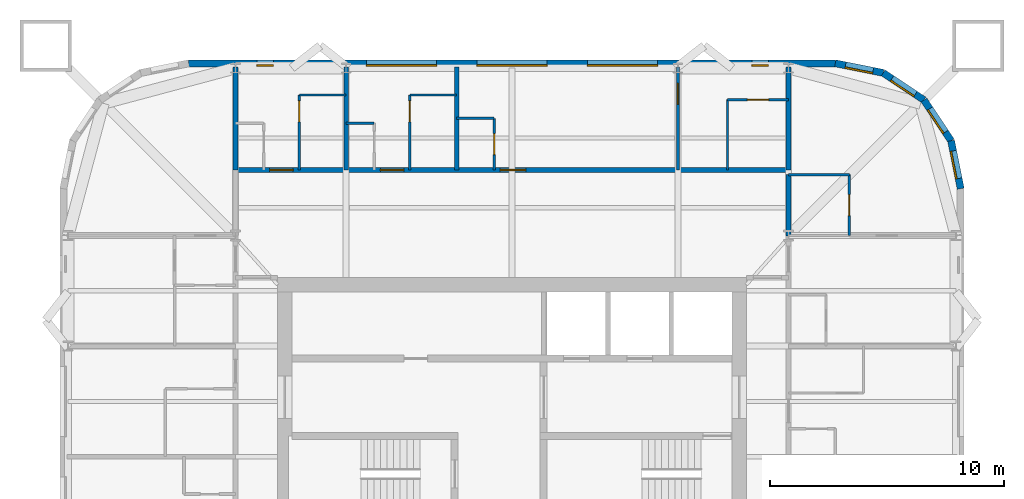
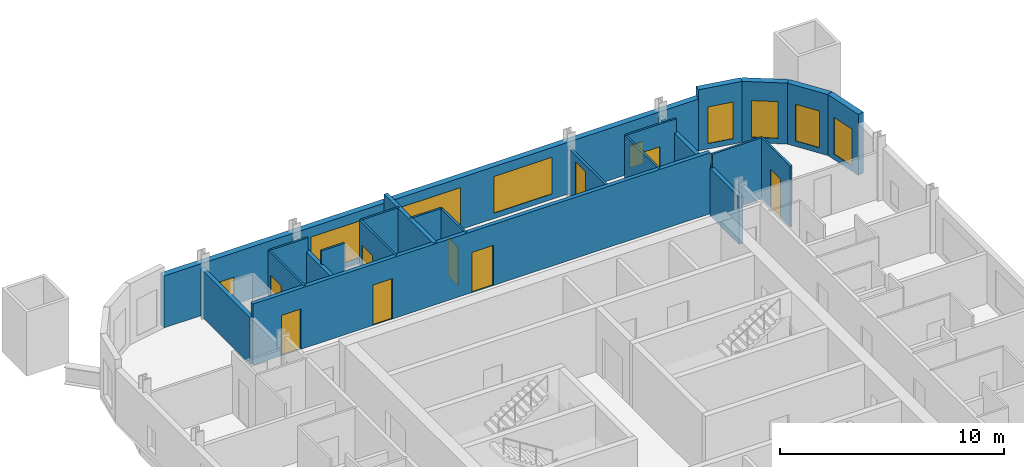
# One storey, part 7 of 9: 23 walls, 9 doors, 9 windows, 18 openings.
"""IFC4 building model written with IfcOpenShell, lengths in metres."""

from ifc_helpers import new_model, si_unit, direction, frame, frame_2d, origin, place, context, subcontext, project, spatial, rectangle, extrude, material, layer, layer_set, type_object, element, fill, save


model = new_model("IFC4")

# Units and contexts
model_context = context("Model", 3, precision=1e-05, world=origin(), true_north=direction((0.0, 1.0)))
body_context = subcontext(model_context, "Body", "Model", "MODEL_VIEW")
ifc_project = project(units=[si_unit("LENGTHUNIT", "METRE"), si_unit("AREAUNIT", "SQUARE_METRE"), si_unit("VOLUMEUNIT", "CUBIC_METRE"), si_unit("PLANEANGLEUNIT", "RADIAN"), si_unit("MASSUNIT", "GRAM", prefix="KILO")], contexts=[model_context])

# Site, building, storey
site_placement = place(None, origin())
site = spatial("IfcSite", under=ifc_project, at=site_placement, CompositionType="ELEMENT")
building_placement = place(site_placement, origin())
building = spatial("IfcBuilding", under=site, at=building_placement, Name="Turquesa Mirador Hotel Tower", CompositionType="ELEMENT")
storey_placement = place(building_placement, frame((0.0, 0.0, 203.800048828125)))
storey = spatial("IfcBuildingStorey", under=building, at=storey_placement, Name="L55", CompositionType="ELEMENT", Elevation=203.800048828125)

# Walls
ifc_material_1 = material(Name="Gypsum board on steel studs", Category="steel")
ifc_layer_1 = layer(ifc_material_1, 0.10009765625)
ifc_layer_set_1 = layer_set([ifc_layer_1], Name="BATHROOM WALL 100")
wall_type_1 = type_object("IfcWallType", Name="BATHROOM WALL 100", PredefinedType="PARTITIONING", material=ifc_layer_set_1)
wall_1_placement = place(storey_placement, frame((66.800048828125, 59.39990234375, 0.0), z_axis=(0.0, 0.0, 1.0), x_axis=(1.0, 0.0, 0.0)))
element("IfcWall", 1, at=wall_1_placement, inside=storey, type_object=wall_type_1, Name="Partition L55 027", PredefinedType="PARTITIONING", context=body_context, shape_type="SweptSolid", body=[
    extrude(rectangle(XDim=2.599853515625, YDim=0.10009765625, at=frame_2d((1.2998046875, 0.0))), origin(), (0.0, 0.0, 1.0), 3.329833984375),
])
wall_2_placement = place(storey_placement, frame((47.919921875, 61.60009765625, 0.0), z_axis=(0.0, 0.0, 1.0), x_axis=(1.0, 0.0, 0.0)))
element("IfcWall", 2, at=wall_2_placement, inside=storey, type_object=wall_type_1, Name="Partition L55 030", PredefinedType="PARTITIONING", context=body_context, shape_type="SweptSolid", body=[
    extrude(rectangle(XDim=1.2001953125, YDim=0.10009765625, at=frame_2d((0.60009765625, 0.0))), origin(), (0.0, 0.0, 1.0), 3.329833984375),
])
wall_3_placement = place(storey_placement, frame((52.639892578125, 61.800048828125, 0.0), z_axis=(0.0, 0.0, 1.0), x_axis=(1.0, 0.0, 0.0)))
element("IfcWall", 3, at=wall_3_placement, inside=storey, type_object=wall_type_1, Name="Partition L55 031", PredefinedType="PARTITIONING", context=body_context, shape_type="SweptSolid", body=[
    extrude(rectangle(XDim=1.60009765625, YDim=0.10009765625, at=frame_2d((0.800048828125, 0.0))), origin(), (0.0, 0.0, 1.0), 3.329833984375),
])

# Wall, opening, door
wall_4_placement = place(storey_placement, frame((64.199951171875, 62.60009765625, 0.0), z_axis=(0.0, 0.0, 1.0), x_axis=(1.0, 0.0, 0.0)))
wall_4 = element("IfcWall", 4, at=wall_4_placement, inside=storey, type_object=wall_type_1, Name="Partition L55 032", PredefinedType="PARTITIONING", context=body_context, shape_type="SweptSolid", body=[
    extrude(rectangle(XDim=2.60009765625, YDim=0.10009765625, at=frame_2d((1.300048828125, 0.0))), origin(), (0.0, 0.0, 1.0), 3.329833984375),
])
opening_1_placement = place(wall_4_placement, frame((0.85009765625, 0.0, 0.0)))
opening_1 = element("IfcOpeningElement", 5, at=opening_1_placement, cuts=wall_4, Name="Opening D02", PredefinedType="OPENING", context=body_context, shape_type="SweptSolid", body=[
    extrude(rectangle(XDim=0.89990234375, YDim=2.10009765625, at=frame_2d((0.449951171875, 1.050048828125))), frame((0.0, 0.06005859375, 0.0), z_axis=(0.0, -1.0, 0.0), x_axis=(1.0, 0.0, 0.0)), (0.0, 0.0, 1.0), 0.1201171875),
])
ifc_material_2 = material(Name="Timber veneered door", Category="wood")
door_type_1 = type_object("IfcDoorType", Name="DOOR 900X2100 EN-SUITE", OperationType="SINGLE_SWING_RIGHT", PredefinedType="DOOR", material=ifc_material_2)
door_1_placement = place(opening_1_placement, origin())
door_1 = element("IfcDoor", 6, at=door_1_placement, inside=storey, type_object=door_type_1, Name="Door 5503B", OperationType="SINGLE_SWING_RIGHT", OverallHeight=2.10009765625, OverallWidth=0.89990234375, PredefinedType="DOOR", context=body_context, shape_type="SweptSolid", body=[
    extrude(rectangle(XDim=0.89990234375, YDim=2.10009765625, at=frame_2d((0.449951171875, 1.050048828125))), frame((0.0, 0.02490234375, 0.0), z_axis=(0.0, -1.0, 0.0), x_axis=(1.0, 0.0, 0.0)), (0.0, 0.0, 1.0), 0.050048828125),
])
fill(opening_1, door_1)

# Walls
for number, where, z_axis, x_axis, name in (
    (7, (45.919921875, 62.800048828125, 0.0), (0.0, 0.0, 1.0), (1.0, 0.0, 0.0), "Partition L55 033"),
    (8, (50.639892578125, 62.800048828125, 0.0), (0.0, 0.0, 1.0), (1.0, 0.0, 0.0), "Partition L55 034"),
):
    element("IfcWall", number, at=place(storey_placement, frame(where, z_axis=z_axis, x_axis=x_axis)), inside=storey, type_object=wall_type_1, Name=name, PredefinedType="PARTITIONING", context=body_context, shape_type="SweptSolid", body=[
        extrude(rectangle(XDim=2.0, YDim=0.10009765625, at=frame_2d((1.0, 0.0))), origin(), (0.0, 0.0, 1.0), 3.329833984375),
    ])

# Wall, opening, door
wall_5_placement = place(storey_placement, frame((54.239990234375, 59.60009765625, 0.0), z_axis=(0.0, 0.0, 1.0), x_axis=(0.0, 1.0, 0.0)))
wall_5 = element("IfcWall", 9, at=wall_5_placement, inside=storey, type_object=wall_type_1, Name="Partition L55 045", PredefinedType="PARTITIONING", context=body_context, shape_type="SweptSolid", body=[
    extrude(rectangle(XDim=2.199951171875, YDim=0.10009765625, at=frame_2d((1.10009765625, 0.0))), origin(), (0.0, 0.0, 1.0), 3.329833984375),
])
opening_2_placement = place(wall_5_placement, frame((0.64990234375, 0.0, 0.0)))
opening_2 = element("IfcOpeningElement", 10, at=opening_2_placement, cuts=wall_5, Name="Opening D06", PredefinedType="OPENING", context=body_context, shape_type="SweptSolid", body=[
    extrude(rectangle(XDim=0.89990234375, YDim=2.10009765625, at=frame_2d((0.449951171875, 1.050048828125))), frame((0.0, 0.06005859375, 0.0), z_axis=(0.0, -1.0, 0.0), x_axis=(1.0, 0.0, 0.0)), (0.0, 0.0, 1.0), 0.1201171875),
])
ifc_material_3 = material(Name="Laminate door", Category="wood")
door_type_2 = type_object("IfcDoorType", Name="DOOR 900X2100 WC", OperationType="SINGLE_SWING_LEFT", PredefinedType="DOOR", material=ifc_material_3)
door_2_placement = place(opening_2_placement, origin())
door_2 = element("IfcDoor", 11, at=door_2_placement, inside=storey, type_object=door_type_2, Name="Door 5503W", OperationType="SINGLE_SWING_LEFT", OverallHeight=2.10009765625, OverallWidth=0.89990234375, PredefinedType="DOOR", context=body_context, shape_type="SweptSolid", body=[
    extrude(rectangle(XDim=0.89990234375, YDim=2.10009765625, at=frame_2d((0.449951171875, 1.050048828125))), frame((0.0, 0.02490234375, 0.0), z_axis=(0.0, -1.0, 0.0), x_axis=(1.0, 0.0, 0.0)), (0.0, 0.0, 1.0), 0.050048828125),
])
fill(opening_2, door_2)

wall_6_placement = place(storey_placement, frame((50.639892578125, 59.60009765625, 0.0), z_axis=(0.0, 0.0, 1.0), x_axis=(0.0, 1.0, 0.0)))
wall_6 = element("IfcWall", 12, at=wall_6_placement, inside=storey, type_object=wall_type_1, Name="Partition L55 058", PredefinedType="PARTITIONING", context=body_context, shape_type="SweptSolid", body=[
    extrude(rectangle(XDim=3.199951171875, YDim=0.10009765625, at=frame_2d((1.60009765625, 0.0))), origin(), (0.0, 0.0, 1.0), 3.329833984375),
])
opening_3_placement = place(wall_6_placement, frame((2.050048828125, 0.0, 0.0)))
opening_3 = element("IfcOpeningElement", 13, at=opening_3_placement, cuts=wall_6, Name="Opening D02", PredefinedType="OPENING", context=body_context, shape_type="SweptSolid", body=[
    extrude(rectangle(XDim=0.89990234375, YDim=2.10009765625, at=frame_2d((0.449951171875, 1.050048828125))), frame((0.0, 0.06005859375, 0.0), z_axis=(0.0, -1.0, 0.0), x_axis=(1.0, 0.0, 0.0)), (0.0, 0.0, 1.0), 0.1201171875),
])
door_3_placement = place(opening_3_placement, origin())
door_3 = element("IfcDoor", 14, at=door_3_placement, inside=storey, type_object=door_type_1, Name="Door 5502B", OperationType="SINGLE_SWING_RIGHT", OverallHeight=2.10009765625, OverallWidth=0.89990234375, PredefinedType="DOOR", context=body_context, shape_type="SweptSolid", body=[
    extrude(rectangle(XDim=0.89990234375, YDim=2.10009765625, at=frame_2d((0.449951171875, 1.050048828125))), frame((0.0, 0.02490234375, 0.0), z_axis=(0.0, -1.0, 0.0), x_axis=(1.0, 0.0, 0.0)), (0.0, 0.0, 1.0), 0.050048828125),
])
fill(opening_3, door_3)

wall_7_placement = place(storey_placement, frame((45.919921875, 59.60009765625, 0.0), z_axis=(0.0, 0.0, 1.0), x_axis=(0.0, 1.0, 0.0)))
wall_7 = element("IfcWall", 15, at=wall_7_placement, inside=storey, type_object=wall_type_1, Name="Partition L55 063", PredefinedType="PARTITIONING", context=body_context, shape_type="SweptSolid", body=[
    extrude(rectangle(XDim=3.199951171875, YDim=0.10009765625, at=frame_2d((1.60009765625, 0.0))), origin(), (0.0, 0.0, 1.0), 3.329833984375),
])
opening_4_placement = place(wall_7_placement, frame((2.050048828125, 0.0, 0.0)))
opening_4 = element("IfcOpeningElement", 16, at=opening_4_placement, cuts=wall_7, Name="Opening D02", PredefinedType="OPENING", context=body_context, shape_type="SweptSolid", body=[
    extrude(rectangle(XDim=0.89990234375, YDim=2.10009765625, at=frame_2d((0.449951171875, 1.050048828125))), frame((0.0, 0.06005859375, 0.0), z_axis=(0.0, -1.0, 0.0), x_axis=(1.0, 0.0, 0.0)), (0.0, 0.0, 1.0), 0.1201171875),
])
door_4_placement = place(opening_4_placement, origin())
door_4 = element("IfcDoor", 17, at=door_4_placement, inside=storey, type_object=door_type_1, Name="Door 5501B", OperationType="SINGLE_SWING_RIGHT", OverallHeight=2.10009765625, OverallWidth=0.89990234375, PredefinedType="DOOR", context=body_context, shape_type="SweptSolid", body=[
    extrude(rectangle(XDim=0.89990234375, YDim=2.10009765625, at=frame_2d((0.449951171875, 1.050048828125))), frame((0.0, 0.02490234375, 0.0), z_axis=(0.0, -1.0, 0.0), x_axis=(1.0, 0.0, 0.0)), (0.0, 0.0, 1.0), 0.050048828125),
])
fill(opening_4, door_4)

wall_8_placement = place(storey_placement, frame((69.39990234375, 56.800048828125, 0.0), z_axis=(0.0, 0.0, 1.0), x_axis=(0.0, 1.0, 0.0)))
wall_8 = element("IfcWall", 18, at=wall_8_placement, inside=storey, type_object=wall_type_1, Name="Partition L55 075", PredefinedType="PARTITIONING", context=body_context, shape_type="SweptSolid", body=[
    extrude(rectangle(XDim=2.599853515625, YDim=0.10009765625, at=frame_2d((1.2998046875, 0.0))), origin(), (0.0, 0.0, 1.0), 3.329833984375),
])
opening_5_placement = place(wall_8_placement, frame((0.85009765625, 0.0, 0.0)))
opening_5 = element("IfcOpeningElement", 19, at=opening_5_placement, cuts=wall_8, Name="Opening D02", PredefinedType="OPENING", context=body_context, shape_type="SweptSolid", body=[
    extrude(rectangle(XDim=0.89990234375, YDim=2.10009765625, at=frame_2d((0.449951171875, 1.050048828125))), frame((0.0, 0.06005859375, 0.0), z_axis=(0.0, -1.0, 0.0), x_axis=(1.0, 0.0, 0.0)), (0.0, 0.0, 1.0), 0.1201171875),
])
door_5_placement = place(opening_5_placement, origin())
door_5 = element("IfcDoor", 20, at=door_5_placement, inside=storey, type_object=door_type_1, Name="Door 5512B", OperationType="SINGLE_SWING_RIGHT", OverallHeight=2.10009765625, OverallWidth=0.89990234375, PredefinedType="DOOR", context=body_context, shape_type="SweptSolid", body=[
    extrude(rectangle(XDim=0.89990234375, YDim=2.10009765625, at=frame_2d((0.449951171875, 1.050048828125))), frame((0.0, 0.02490234375, 0.0), z_axis=(0.0, -1.0, 0.0), x_axis=(1.0, 0.0, 0.0)), (0.0, 0.0, 1.0), 0.050048828125),
])
fill(opening_5, door_5)

# Wall
wall_9_placement = place(storey_placement, frame((64.199951171875, 59.60009765625, 0.0), z_axis=(0.0, 0.0, 1.0), x_axis=(0.0, 1.0, 0.0)))
element("IfcWall", 21, at=wall_9_placement, inside=storey, type_object=wall_type_1, Name="Partition L55 084", PredefinedType="PARTITIONING", context=body_context, shape_type="SweptSolid", body=[
    extrude(rectangle(XDim=3.0, YDim=0.10009765625, at=frame_2d((1.5, 0.0))), origin(), (0.0, 0.0, 1.0), 3.329833984375),
])

# Wall, openings, doors
ifc_material_4 = material(Name="Fire-rated gypsum board on steel studs", Category="steel")
ifc_layer_2 = layer(ifc_material_4, 0.199951171875)
ifc_layer_set_2 = layer_set([ifc_layer_2], Name="CORRIDOR WALL 200")
wall_type_2 = type_object("IfcWallType", Name="CORRIDOR WALL 200", PredefinedType="PARTITIONING", material=ifc_layer_set_2)
wall_10_placement = place(storey_placement, frame((43.199951171875, 59.60009765625, 0.0), z_axis=(0.0, 0.0, 1.0), x_axis=(1.0, 0.0, 0.0)))
wall_10 = element("IfcWall", 22, at=wall_10_placement, inside=storey, type_object=wall_type_2, Name="Partition L55 028", PredefinedType="PARTITIONING", context=body_context, shape_type="SweptSolid", body=[
    extrude(rectangle(XDim=23.60009765625, YDim=0.199951171875, at=frame_2d((11.800048828125, 0.0))), origin(), (0.0, 0.0, 1.0), 3.329833984375),
])
opening_6_placement = place(wall_10_placement, frame((1.4599609375, 0.0, 0.0)))
opening_6 = element("IfcOpeningElement", 23, at=opening_6_placement, cuts=wall_10, Name="Opening D01", PredefinedType="OPENING", context=body_context, shape_type="SweptSolid", body=[
    extrude(rectangle(XDim=1.0, YDim=2.199951171875, at=frame_2d((0.5, 1.10009765625))), frame((0.0, 0.10986328125, 0.0), z_axis=(0.0, -1.0, 0.0), x_axis=(1.0, 0.0, 0.0)), (0.0, 0.0, 1.0), 0.219970703125),
])
opening_7_placement = place(wall_10_placement, frame((6.179931640625, 0.0, 0.0)))
opening_7 = element("IfcOpeningElement", 24, at=opening_7_placement, cuts=wall_10, Name="Opening D01", PredefinedType="OPENING", context=body_context, shape_type="SweptSolid", body=[
    extrude(rectangle(XDim=1.0, YDim=2.199951171875, at=frame_2d((0.5, 1.10009765625))), frame((0.0, 0.10986328125, 0.0), z_axis=(0.0, -1.0, 0.0), x_axis=(1.0, 0.0, 0.0)), (0.0, 0.0, 1.0), 0.219970703125),
])
opening_8_placement = place(wall_10_placement, frame((11.2900390625, 0.0, 0.0)))
opening_8 = element("IfcOpeningElement", 25, at=opening_8_placement, cuts=wall_10, Name="Opening D15", PredefinedType="OPENING", context=body_context, shape_type="SweptSolid", body=[
    extrude(rectangle(XDim=1.10009765625, YDim=2.199951171875, at=frame_2d((0.550048828125, 1.10009765625))), frame((0.0, 0.10986328125, 0.0), z_axis=(0.0, -1.0, 0.0), x_axis=(1.0, 0.0, 0.0)), (0.0, 0.0, 1.0), 0.219970703125),
])
ifc_material_5 = material(Name="Timber veneered fire door", Category="wood")
door_type_3 = type_object("IfcDoorType", Name="DOOR 1000X2200 GUEST ENTRY", OperationType="SINGLE_SWING_LEFT", PredefinedType="DOOR", material=ifc_material_5)
door_6_placement = place(opening_6_placement, origin())
door_6 = element("IfcDoor", 26, at=door_6_placement, inside=storey, type_object=door_type_3, Name="Door 5501", OperationType="SINGLE_SWING_LEFT", OverallHeight=2.199951171875, OverallWidth=1.0, PredefinedType="DOOR", context=body_context, shape_type="SweptSolid", body=[
    extrude(rectangle(XDim=1.0, YDim=2.199951171875, at=frame_2d((0.5, 1.10009765625))), frame((0.0, 0.02490234375, 0.0), z_axis=(0.0, -1.0, 0.0), x_axis=(1.0, 0.0, 0.0)), (0.0, 0.0, 1.0), 0.050048828125),
])
fill(opening_6, door_6)
door_7_placement = place(opening_7_placement, origin())
door_7 = element("IfcDoor", 27, at=door_7_placement, inside=storey, type_object=door_type_3, Name="Door 5502", OperationType="SINGLE_SWING_LEFT", OverallHeight=2.199951171875, OverallWidth=1.0, PredefinedType="DOOR", context=body_context, shape_type="SweptSolid", body=[
    extrude(rectangle(XDim=1.0, YDim=2.199951171875, at=frame_2d((0.5, 1.10009765625))), frame((0.0, 0.02490234375, 0.0), z_axis=(0.0, -1.0, 0.0), x_axis=(1.0, 0.0, 0.0)), (0.0, 0.0, 1.0), 0.050048828125),
])
fill(opening_7, door_7)
ifc_material_6 = material(Name="Timber veneered fire door", Category="wood")
door_type_4 = type_object("IfcDoorType", Name="DOOR 1100X2200 SUITE ENTRY", OperationType="SINGLE_SWING_LEFT", PredefinedType="DOOR", material=ifc_material_6)
door_8_placement = place(opening_8_placement, origin())
door_8 = element("IfcDoor", 28, at=door_8_placement, inside=storey, type_object=door_type_4, Name="Door 5503", OperationType="SINGLE_SWING_LEFT", OverallHeight=2.199951171875, OverallWidth=1.10009765625, PredefinedType="DOOR", context=body_context, shape_type="SweptSolid", body=[
    extrude(rectangle(XDim=1.10009765625, YDim=2.199951171875, at=frame_2d((0.550048828125, 1.10009765625))), frame((0.0, 0.02490234375, 0.0), z_axis=(0.0, -1.0, 0.0), x_axis=(1.0, 0.0, 0.0)), (0.0, 0.0, 1.0), 0.050048828125),
])
fill(opening_8, door_8)

# Wall
wall_11_placement = place(storey_placement, frame((66.800048828125, 56.780029296875, 0.0), z_axis=(0.0, 0.0, 1.0), x_axis=(0.0, 1.0, 0.0)))
element("IfcWall", 29, at=wall_11_placement, inside=storey, type_object=wall_type_2, Name="Partition L55 086", PredefinedType="PARTITIONING", context=body_context, shape_type="SweptSolid", body=[
    extrude(rectangle(XDim=2.619873046875, YDim=0.199951171875, at=frame_2d((1.31005859375, 0.0))), origin(), (0.0, 0.0, 1.0), 2.572998046875),
])

# Wall, opening, window
ifc_material_7 = material(Name="Limestone cladding on concrete block", Category="masonry")
ifc_layer_3 = layer(ifc_material_7, 0.300048828125)
ifc_layer_set_3 = layer_set([ifc_layer_3], Name="FACADE WALL 300 STONE SCREEN")
wall_type_3 = type_object("IfcWallType", Name="FACADE WALL 300 STONE SCREEN", PredefinedType="SOLIDWALL", material=ifc_layer_set_3)
wall_12_placement = place(storey_placement, frame((74.14990234375, 58.800048828125, 0.0), z_axis=(0.0, 0.0, 1.0), x_axis=(-0.195081421501, 0.980787050784, 0.0)))
wall_12 = element("IfcWall", 30, at=wall_12_placement, inside=storey, type_object=wall_type_3, Name="Facade wall L55 05", PredefinedType="SOLIDWALL", context=body_context, shape_type="SweptSolid", body=[
    extrude(rectangle(XDim=2.08740234375, YDim=0.300048828125, at=frame_2d((1.043701171875, 0.0))), origin(), (0.0, 0.0, 1.0), 3.329833984375),
])
opening_9_placement = place(wall_12_placement, frame((0.443603515625, 0.0, 0.300048828125)))
opening_9 = element("IfcOpeningElement", 31, at=opening_9_placement, cuts=wall_12, Name="Opening WN4", PredefinedType="OPENING", context=body_context, shape_type="SweptSolid", body=[
    extrude(rectangle(XDim=1.199951171875, YDim=2.0, at=frame_2d((0.60009765625, 1.0))), frame((0.0, 0.159912109375, 0.0), z_axis=(0.0, -1.0, 0.0), x_axis=(1.0, 0.0, 0.0)), (0.0, 0.0, 1.0), 0.320068359375),
])
ifc_material_8 = material(Name="Ceramic-fritted laminated glass", Category="glass")
window_type_1 = type_object("IfcWindowType", Name="FRITTED CORNER WINDOW 1200X2000", PartitioningType="DOUBLE_PANEL_HORIZONTAL", PredefinedType="WINDOW", material=ifc_material_8)
window_1_placement = place(opening_9_placement, origin())
window_1 = element("IfcWindow", 32, at=window_1_placement, inside=storey, type_object=window_type_1, Name="Window L55", OverallHeight=2.0, OverallWidth=1.199951171875, PartitioningType="SINGLE_PANEL", PredefinedType="WINDOW", context=body_context, shape_type="SweptSolid", body=[
    extrude(rectangle(XDim=1.199951171875, YDim=2.0, at=frame_2d((0.60009765625, 1.0))), frame((0.0, 0.130126953125, 0.0), z_axis=(0.0, -1.0, 0.0), x_axis=(1.0, 0.0, 0.0)), (0.0, 0.0, 1.0), 0.06005859375),
])
fill(opening_9, window_1)

wall_13_placement = place(storey_placement, frame((73.74267578125, 60.847412109375, 0.0), z_axis=(0.0, 0.0, 1.0), x_axis=(-0.555563607591, 0.831474039234, 0.0)))
wall_13 = element("IfcWall", 33, at=wall_13_placement, inside=storey, type_object=wall_type_3, Name="Facade wall L55 06", PredefinedType="SOLIDWALL", context=body_context, shape_type="SweptSolid", body=[
    extrude(rectangle(XDim=2.08740234375, YDim=0.300048828125, at=frame_2d((1.043701171875, 0.0))), origin(), (0.0, 0.0, 1.0), 3.329833984375),
])
opening_10_placement = place(wall_13_placement, frame((0.443603515625, 0.0, 0.300048828125)))
opening_10 = element("IfcOpeningElement", 34, at=opening_10_placement, cuts=wall_13, Name="Opening WN4", PredefinedType="OPENING", context=body_context, shape_type="SweptSolid", body=[
    extrude(rectangle(XDim=1.199951171875, YDim=2.0, at=frame_2d((0.60009765625, 1.0))), frame((0.0, 0.159912109375, 0.0), z_axis=(0.0, -1.0, 0.0), x_axis=(1.0, 0.0, 0.0)), (0.0, 0.0, 1.0), 0.320068359375),
])
window_2_placement = place(opening_10_placement, origin())
window_2 = element("IfcWindow", 35, at=window_2_placement, inside=storey, type_object=window_type_1, Name="Window L55", OverallHeight=2.0, OverallWidth=1.199951171875, PartitioningType="SINGLE_PANEL", PredefinedType="WINDOW", context=body_context, shape_type="SweptSolid", body=[
    extrude(rectangle(XDim=1.199951171875, YDim=2.0, at=frame_2d((0.60009765625, 1.0))), frame((0.0, 0.130126953125, 0.0), z_axis=(0.0, -1.0, 0.0), x_axis=(1.0, 0.0, 0.0)), (0.0, 0.0, 1.0), 0.06005859375),
])
fill(opening_10, window_2)

wall_14_placement = place(storey_placement, frame((72.5830078125, 62.5830078125, 0.0), z_axis=(0.0, 0.0, 1.0), x_axis=(-0.831474039234, 0.555563607591, 0.0)))
wall_14 = element("IfcWall", 36, at=wall_14_placement, inside=storey, type_object=wall_type_3, Name="Facade wall L55 07", PredefinedType="SOLIDWALL", context=body_context, shape_type="SweptSolid", body=[
    extrude(rectangle(XDim=2.08740234375, YDim=0.300048828125, at=frame_2d((1.043701171875, 0.0))), origin(), (0.0, 0.0, 1.0), 3.329833984375),
])
opening_11_placement = place(wall_14_placement, frame((0.443603515625, 0.0, 0.300048828125)))
opening_11 = element("IfcOpeningElement", 37, at=opening_11_placement, cuts=wall_14, Name="Opening WN4", PredefinedType="OPENING", context=body_context, shape_type="SweptSolid", body=[
    extrude(rectangle(XDim=1.199951171875, YDim=2.0, at=frame_2d((0.60009765625, 1.0))), frame((0.0, 0.159912109375, 0.0), z_axis=(0.0, -1.0, 0.0), x_axis=(1.0, 0.0, 0.0)), (0.0, 0.0, 1.0), 0.320068359375),
])
window_3_placement = place(opening_11_placement, origin())
window_3 = element("IfcWindow", 38, at=window_3_placement, inside=storey, type_object=window_type_1, Name="Window L55", OverallHeight=2.0, OverallWidth=1.199951171875, PartitioningType="SINGLE_PANEL", PredefinedType="WINDOW", context=body_context, shape_type="SweptSolid", body=[
    extrude(rectangle(XDim=1.199951171875, YDim=2.0, at=frame_2d((0.60009765625, 1.0))), frame((0.0, 0.130126953125, 0.0), z_axis=(0.0, -1.0, 0.0), x_axis=(1.0, 0.0, 0.0)), (0.0, 0.0, 1.0), 0.06005859375),
])
fill(opening_11, window_3)

wall_15_placement = place(storey_placement, frame((70.847412109375, 63.74267578125, 0.0), z_axis=(0.0, 0.0, 1.0), x_axis=(-0.980787050784, 0.195081421501, 0.0)))
wall_15 = element("IfcWall", 39, at=wall_15_placement, inside=storey, type_object=wall_type_3, Name="Facade wall L55 08", PredefinedType="SOLIDWALL", context=body_context, shape_type="SweptSolid", body=[
    extrude(rectangle(XDim=2.08740234375, YDim=0.300048828125, at=frame_2d((1.043701171875, 0.0))), origin(), (0.0, 0.0, 1.0), 3.329833984375),
])
opening_12_placement = place(wall_15_placement, frame((0.443603515625, 0.0, 0.300048828125)))
opening_12 = element("IfcOpeningElement", 40, at=opening_12_placement, cuts=wall_15, Name="Opening WN4", PredefinedType="OPENING", context=body_context, shape_type="SweptSolid", body=[
    extrude(rectangle(XDim=1.199951171875, YDim=2.0, at=frame_2d((0.60009765625, 1.0))), frame((0.0, 0.159912109375, 0.0), z_axis=(0.0, -1.0, 0.0), x_axis=(1.0, 0.0, 0.0)), (0.0, 0.0, 1.0), 0.320068359375),
])
window_4_placement = place(opening_12_placement, origin())
window_4 = element("IfcWindow", 41, at=window_4_placement, inside=storey, type_object=window_type_1, Name="Window L55", OverallHeight=2.0, OverallWidth=1.199951171875, PartitioningType="SINGLE_PANEL", PredefinedType="WINDOW", context=body_context, shape_type="SweptSolid", body=[
    extrude(rectangle(XDim=1.199951171875, YDim=2.0, at=frame_2d((0.60009765625, 1.0))), frame((0.0, 0.130126953125, 0.0), z_axis=(0.0, -1.0, 0.0), x_axis=(1.0, 0.0, 0.0)), (0.0, 0.0, 1.0), 0.06005859375),
])
fill(opening_12, window_4)

# Wall, openings, windows
wall_16_placement = place(storey_placement, frame((68.800048828125, 64.14990234375, 0.0), z_axis=(0.0, 0.0, 1.0), x_axis=(-1.0, 0.0, 0.0)))
wall_16 = element("IfcWall", 42, at=wall_16_placement, inside=storey, type_object=wall_type_3, Name="Facade wall L55 09", PredefinedType="SOLIDWALL", context=body_context, shape_type="SweptSolid", body=[
    extrude(rectangle(XDim=27.60009765625, YDim=0.300048828125, at=frame_2d((13.800048828125, 0.0))), origin(), (0.0, 0.0, 1.0), 2.829833984375),
])
opening_13_placement = place(wall_16_placement, frame((2.860107421875, 0.0, 0.300048828125)))
opening_13 = element("IfcOpeningElement", 43, at=opening_13_placement, cuts=wall_16, Name="Opening WN34", PredefinedType="OPENING", context=body_context, shape_type="SweptSolid", body=[
    extrude(rectangle(XDim=0.699951171875, YDim=1.199951171875, at=frame_2d((0.35009765625, 0.60009765625))), frame((0.0, 0.159912109375, 0.0), z_axis=(0.0, -1.0, 0.0), x_axis=(1.0, 0.0, 0.0)), (0.0, 0.0, 1.0), 0.320068359375),
])
opening_14_placement = place(wall_16_placement, frame((7.580078125, 0.0, 0.300048828125)))
opening_14 = element("IfcOpeningElement", 44, at=opening_14_placement, cuts=wall_16, Name="Opening WN1", PredefinedType="OPENING", context=body_context, shape_type="SweptSolid", body=[
    extrude(rectangle(XDim=3.0, YDim=2.0, at=frame_2d((1.5, 1.0))), frame((0.0, 0.159912109375, 0.0), z_axis=(0.0, -1.0, 0.0), x_axis=(1.0, 0.0, 0.0)), (0.0, 0.0, 1.0), 0.320068359375),
])
opening_15_placement = place(wall_16_placement, frame((12.300048828125, 0.0, 0.300048828125)))
opening_15 = element("IfcOpeningElement", 45, at=opening_15_placement, cuts=wall_16, Name="Opening WN1", PredefinedType="OPENING", context=body_context, shape_type="SweptSolid", body=[
    extrude(rectangle(XDim=3.0, YDim=2.0, at=frame_2d((1.5, 1.0))), frame((0.0, 0.159912109375, 0.0), z_axis=(0.0, -1.0, 0.0), x_axis=(1.0, 0.0, 0.0)), (0.0, 0.0, 1.0), 0.320068359375),
])
opening_16_placement = place(wall_16_placement, frame((17.02001953125, 0.0, 0.300048828125)))
opening_16 = element("IfcOpeningElement", 46, at=opening_16_placement, cuts=wall_16, Name="Opening WN1", PredefinedType="OPENING", context=body_context, shape_type="SweptSolid", body=[
    extrude(rectangle(XDim=3.0, YDim=2.0, at=frame_2d((1.5, 1.0))), frame((0.0, 0.159912109375, 0.0), z_axis=(0.0, -1.0, 0.0), x_axis=(1.0, 0.0, 0.0)), (0.0, 0.0, 1.0), 0.320068359375),
])
opening_17_placement = place(wall_16_placement, frame((23.989990234375, 0.0, 0.300048828125)))
opening_17 = element("IfcOpeningElement", 47, at=opening_17_placement, cuts=wall_16, Name="Opening WN34", PredefinedType="OPENING", context=body_context, shape_type="SweptSolid", body=[
    extrude(rectangle(XDim=0.699951171875, YDim=1.199951171875, at=frame_2d((0.35009765625, 0.60009765625))), frame((0.0, 0.159912109375, 0.0), z_axis=(0.0, -1.0, 0.0), x_axis=(1.0, 0.0, 0.0)), (0.0, 0.0, 1.0), 0.320068359375),
])
ifc_material_9 = material(Name="Ceramic-fritted laminated glass", Category="glass")
window_type_2 = type_object("IfcWindowType", Name="FRITTED WINDOW 3000X2000", PartitioningType="DOUBLE_PANEL_HORIZONTAL", PredefinedType="WINDOW", material=ifc_material_9)
window_5_placement = place(opening_14_placement, origin())
window_5 = element("IfcWindow", 48, at=window_5_placement, inside=storey, type_object=window_type_2, Name="Window L55", OverallHeight=2.0, OverallWidth=3.0, PartitioningType="SINGLE_PANEL", PredefinedType="WINDOW", context=body_context, shape_type="SweptSolid", body=[
    extrude(rectangle(XDim=3.0, YDim=2.0, at=frame_2d((1.5, 1.0))), frame((0.0, 0.130126953125, 0.0), z_axis=(0.0, -1.0, 0.0), x_axis=(1.0, 0.0, 0.0)), (0.0, 0.0, 1.0), 0.06005859375),
])
fill(opening_14, window_5)
window_6_placement = place(opening_15_placement, origin())
window_6 = element("IfcWindow", 49, at=window_6_placement, inside=storey, type_object=window_type_2, Name="Window L55", OverallHeight=2.0, OverallWidth=3.0, PartitioningType="SINGLE_PANEL", PredefinedType="WINDOW", context=body_context, shape_type="SweptSolid", body=[
    extrude(rectangle(XDim=3.0, YDim=2.0, at=frame_2d((1.5, 1.0))), frame((0.0, 0.130126953125, 0.0), z_axis=(0.0, -1.0, 0.0), x_axis=(1.0, 0.0, 0.0)), (0.0, 0.0, 1.0), 0.06005859375),
])
fill(opening_15, window_6)
window_7_placement = place(opening_16_placement, origin())
window_7 = element("IfcWindow", 50, at=window_7_placement, inside=storey, type_object=window_type_2, Name="Window L55", OverallHeight=2.0, OverallWidth=3.0, PartitioningType="SINGLE_PANEL", PredefinedType="WINDOW", context=body_context, shape_type="SweptSolid", body=[
    extrude(rectangle(XDim=3.0, YDim=2.0, at=frame_2d((1.5, 1.0))), frame((0.0, 0.130126953125, 0.0), z_axis=(0.0, -1.0, 0.0), x_axis=(1.0, 0.0, 0.0)), (0.0, 0.0, 1.0), 0.06005859375),
])
fill(opening_16, window_7)
ifc_material_10 = material(Name="Ceramic-fritted laminated glass", Category="glass")
window_type_3 = type_object("IfcWindowType", Name="FRITTED WINDOW 700X1200", PartitioningType="DOUBLE_PANEL_HORIZONTAL", PredefinedType="WINDOW", material=ifc_material_10)
window_8_placement = place(opening_13_placement, origin())
window_8 = element("IfcWindow", 51, at=window_8_placement, inside=storey, type_object=window_type_3, Name="Window L55", OverallHeight=1.199951171875, OverallWidth=0.699951171875, PartitioningType="SINGLE_PANEL", PredefinedType="WINDOW", context=body_context, shape_type="SweptSolid", body=[
    extrude(rectangle(XDim=0.699951171875, YDim=1.199951171875, at=frame_2d((0.35009765625, 0.60009765625))), frame((0.0, 0.130126953125, 0.0), z_axis=(0.0, -1.0, 0.0), x_axis=(1.0, 0.0, 0.0)), (0.0, 0.0, 1.0), 0.06005859375),
])
fill(opening_13, window_8)
window_9_placement = place(opening_17_placement, origin())
window_9 = element("IfcWindow", 52, at=window_9_placement, inside=storey, type_object=window_type_3, Name="Window L55", OverallHeight=1.199951171875, OverallWidth=0.699951171875, PartitioningType="SINGLE_PANEL", PredefinedType="WINDOW", context=body_context, shape_type="SweptSolid", body=[
    extrude(rectangle(XDim=0.699951171875, YDim=1.199951171875, at=frame_2d((0.35009765625, 0.60009765625))), frame((0.0, 0.130126953125, 0.0), z_axis=(0.0, -1.0, 0.0), x_axis=(1.0, 0.0, 0.0)), (0.0, 0.0, 1.0), 0.06005859375),
])
fill(opening_17, window_9)

# Walls
ifc_material_11 = material(Name="Fire-rated gypsum board on steel studs", Category="steel")
ifc_layer_4 = layer(ifc_material_11, 0.199951171875)
ifc_layer_set_4 = layer_set([ifc_layer_4], Name="PARTY WALL 200")
wall_type_4 = type_object("IfcWallType", Name="PARTY WALL 200", PredefinedType="PARTITIONING", material=ifc_layer_set_4)
wall_17_placement = place(storey_placement, frame((43.199951171875, 59.60009765625, 0.0), z_axis=(0.0, 0.0, 1.0), x_axis=(0.0, 1.0, 0.0)))
element("IfcWall", 53, at=wall_17_placement, inside=storey, type_object=wall_type_4, Name="Partition L55 049", PredefinedType="PARTITIONING", context=body_context, shape_type="SweptSolid", body=[
    extrude(rectangle(XDim=4.39990234375, YDim=0.199951171875, at=frame_2d((2.199951171875, 0.0))), origin(), (0.0, 0.0, 1.0), 2.572998046875),
])
wall_18_placement = place(storey_placement, frame((52.639892578125, 59.60009765625, 0.0), z_axis=(0.0, 0.0, 1.0), x_axis=(0.0, 1.0, 0.0)))
element("IfcWall", 54, at=wall_18_placement, inside=storey, type_object=wall_type_4, Name="Partition L55 057", PredefinedType="PARTITIONING", context=body_context, shape_type="SweptSolid", body=[
    extrude(rectangle(XDim=4.39990234375, YDim=0.199951171875, at=frame_2d((2.199951171875, 0.0))), origin(), (0.0, 0.0, 1.0), 3.329833984375),
])
for number, where, z_axis, x_axis, name in (
    (55, (47.919921875, 59.60009765625, 0.0), (0.0, 0.0, 1.0), (0.0, 1.0, 0.0), "Partition L55 062"),
    (56, (66.800048828125, 59.60009765625, 0.0), (0.0, 0.0, 1.0), (0.0, 1.0, 0.0), "Partition L55 068"),
):
    element("IfcWall", number, at=place(storey_placement, frame(where, z_axis=z_axis, x_axis=x_axis)), inside=storey, type_object=wall_type_4, Name=name, PredefinedType="PARTITIONING", context=body_context, shape_type="SweptSolid", body=[
        extrude(rectangle(XDim=4.39990234375, YDim=0.199951171875, at=frame_2d((2.199951171875, 0.0))), origin(), (0.0, 0.0, 1.0), 2.572998046875),
    ])

# Wall, opening, door
ifc_material_12 = material(Name="Acoustic gypsum board on steel studs", Category="steel")
ifc_layer_5 = layer(ifc_material_12, 0.125)
ifc_layer_set_5 = layer_set([ifc_layer_5], Name="SUITE PARTITION 125")
wall_type_5 = type_object("IfcWallType", Name="SUITE PARTITION 125", PredefinedType="PARTITIONING", material=ifc_layer_set_5)
wall_19_placement = place(storey_placement, frame((62.080078125, 59.60009765625, 0.0), z_axis=(0.0, 0.0, 1.0), x_axis=(0.0, 1.0, 0.0)))
wall_19 = element("IfcWall", 57, at=wall_19_placement, inside=storey, type_object=wall_type_5, Name="Partition L55 082", PredefinedType="PARTITIONING", context=body_context, shape_type="SweptSolid", body=[
    extrude(rectangle(XDim=4.39990234375, YDim=0.125, at=frame_2d((2.199951171875, 0.0))), origin(), (0.0, 0.0, 1.0), 2.572998046875),
])
opening_18_placement = place(wall_19_placement, frame((2.800048828125, 0.0, 0.0)))
opening_18 = element("IfcOpeningElement", 58, at=opening_18_placement, cuts=wall_19, Name="Opening D17", PredefinedType="OPENING", context=body_context, shape_type="SweptSolid", body=[
    extrude(rectangle(XDim=0.89990234375, YDim=2.199951171875, at=frame_2d((0.449951171875, 1.10009765625))), frame((0.0, 0.072509765625, 0.0), z_axis=(0.0, -1.0, 0.0), x_axis=(1.0, 0.0, 0.0)), (0.0, 0.0, 1.0), 0.14501953125),
])
ifc_material_13 = material(Name="Timber veneered door", Category="wood")
door_type_5 = type_object("IfcDoorType", Name="DOOR 900X2200 SUITE INTERNAL", OperationType="SINGLE_SWING_LEFT", PredefinedType="DOOR", material=ifc_material_13)
door_9_placement = place(opening_18_placement, origin())
door_9 = element("IfcDoor", 59, at=door_9_placement, inside=storey, type_object=door_type_5, Name="Door 5503R", OperationType="SINGLE_SWING_LEFT", OverallHeight=2.199951171875, OverallWidth=0.89990234375, PredefinedType="DOOR", context=body_context, shape_type="SweptSolid", body=[
    extrude(rectangle(XDim=0.89990234375, YDim=2.199951171875, at=frame_2d((0.449951171875, 1.10009765625))), frame((0.0, 0.02490234375, 0.0), z_axis=(0.0, -1.0, 0.0), x_axis=(1.0, 0.0, 0.0)), (0.0, 0.0, 1.0), 0.050048828125),
])
fill(opening_18, door_9)

save(model, "model.ifc")
